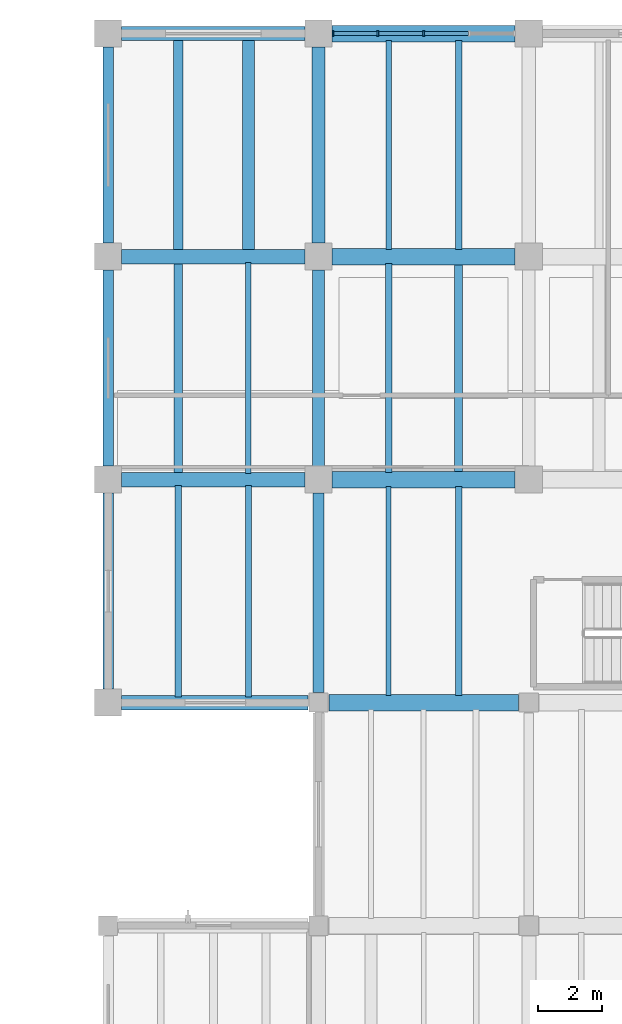
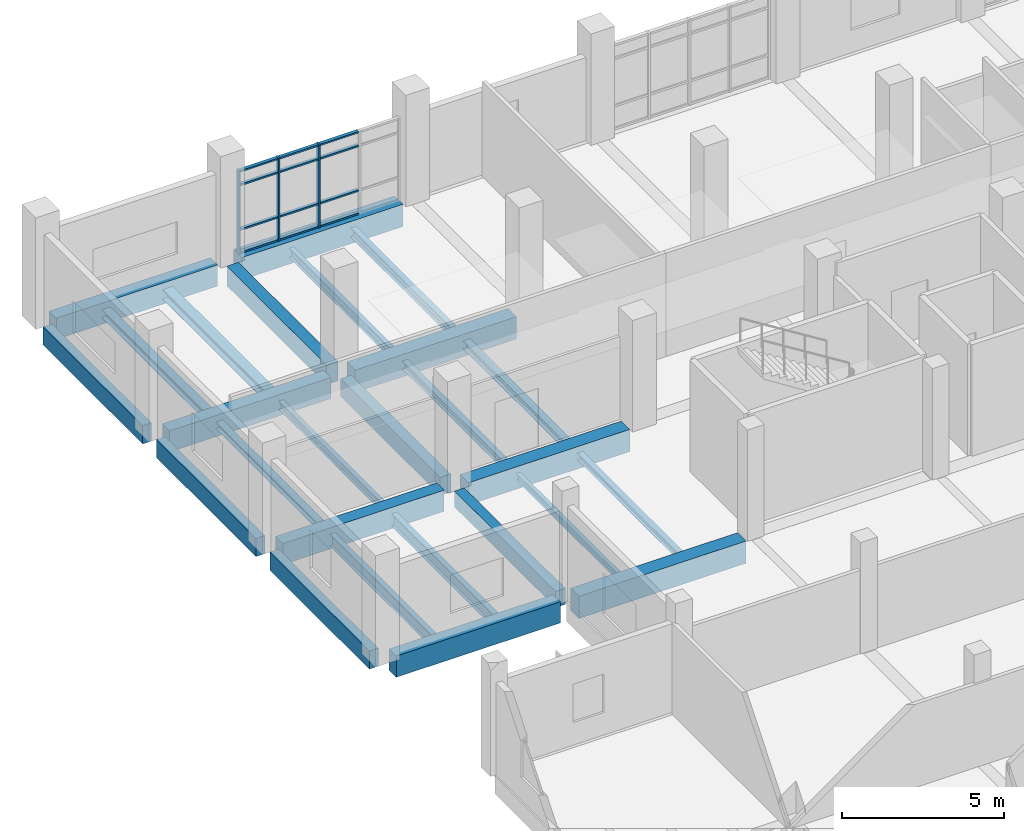
# One storey, part 23 of 68: 26 beams, 15 members, 1 element without a shape of its own.
"""IFC4 building model written with IfcOpenShell, lengths in metres."""

from ifc_helpers import new_model, si_unit, direction, frame, origin, origin_2d, place, context, subcontext, project, spatial, rectangle, i_section, extrude, material, material_profile, profile_set, type_object, element, aggregate, save


model = new_model("IFC4")

# Units and contexts
model_context = context("Model", 3, precision=1e-05, world=origin(), true_north=direction((0.0, 1.0)))
body_context = subcontext(model_context, "Body", "Model", "MODEL_VIEW")
ifc_project = project(units=[si_unit("LENGTHUNIT", "METRE"), si_unit("AREAUNIT", "SQUARE_METRE"), si_unit("VOLUMEUNIT", "CUBIC_METRE"), si_unit("PLANEANGLEUNIT", "RADIAN"), si_unit("MASSUNIT", "GRAM", prefix="KILO")], contexts=[model_context])

# Site, building, storey
site_placement = place(None, origin())
site = spatial("IfcSite", under=ifc_project, at=site_placement, CompositionType="ELEMENT")
building_placement = place(site_placement, origin())
building = spatial("IfcBuilding", under=site, at=building_placement, Name="Ciguamira Faculty of Natural Sciences", CompositionType="ELEMENT")
storey_placement = place(building_placement, frame((0.0, 0.0, 4.199951171875)))
storey = spatial("IfcBuildingStorey", under=building, at=storey_placement, Name="L01", CompositionType="ELEMENT", Elevation=4.199951171875)

# Curtain wall, members
ifc_material_1 = material(Name="Anodized aluminium curtain wall", Category="aluminium")
curtain_wall_type = type_object("IfcCurtainWallType", Name="CurtainWall_CW-10", PredefinedType="USERDEFINED", material=ifc_material_1)
curtain_wall_placement = place(storey_placement, origin())
curtain_wall = element("IfcCurtainWall", 1, at=curtain_wall_placement, inside=storey, type_object=curtain_wall_type, Name="L01 unitised curtain wall 0046", ObjectType="UNITISED CURTAIN WALL", PredefinedType="USERDEFINED")
ifc_material_2 = material(Name="Anodized aluminium mullion", Category="aluminium")
ifc_material_profile_1 = material_profile(ifc_material_2, rectangle(XDim=0.06005859375, YDim=0.159912109375, at=origin_2d()), Name="ALU-MUL-60X160")
ifc_profile_set_1 = profile_set([ifc_material_profile_1], Name="Anodized aluminium mullion")
member_type_1 = type_object("IfcMemberType", Name="CWMullion_CWM-01", PredefinedType="MULLION", material=ifc_profile_set_1)
member_1_placement = place(storey_placement, frame((64.35498046875, 115.0, 0.0), z_axis=(0.0, 0.0, 1.0), x_axis=(1.0, 0.0, 0.0)))
member_1 = element("IfcMember", 2, at=member_1_placement, type_object=member_type_1, Name="CW-10 mullion 1", PredefinedType="MULLION", context=body_context, shape_type="SweptSolid", body=[
    extrude(rectangle(XDim=0.06005859375, YDim=0.159912109375, at=origin_2d()), origin(), (0.0, 0.0, 1.0), 3.135009765625),
])
member_2_placement = place(storey_placement, frame((65.762451171875, 115.0, 0.0), z_axis=(0.0, 0.0, 1.0), x_axis=(1.0, 0.0, 0.0)))
member_2 = element("IfcMember", 3, at=member_2_placement, type_object=member_type_1, Name="CW-10 mullion 2", PredefinedType="MULLION", context=body_context, shape_type="SweptSolid", body=[
    extrude(rectangle(XDim=0.06005859375, YDim=0.159912109375, at=origin_2d()), origin(), (0.0, 0.0, 1.0), 3.135009765625),
])
member_3_placement = place(storey_placement, frame((67.199951171875, 115.0, 0.0), z_axis=(0.0, 0.0, 1.0), x_axis=(1.0, 0.0, 0.0)))
member_3 = element("IfcMember", 4, at=member_3_placement, type_object=member_type_1, Name="CW-10 mullion 3", PredefinedType="MULLION", context=body_context, shape_type="SweptSolid", body=[
    extrude(rectangle(XDim=0.06005859375, YDim=0.159912109375, at=origin_2d()), origin(), (0.0, 0.0, 1.0), 3.135009765625),
])
ifc_material_3 = material(Name="Anodized aluminium transom", Category="aluminium")
ifc_material_profile_2 = material_profile(ifc_material_3, rectangle(XDim=0.06005859375, YDim=0.1201171875, at=origin_2d()), Name="ALU-TRN-60X120")
ifc_profile_set_2 = profile_set([ifc_material_profile_2], Name="Anodized aluminium transom")
member_type_2 = type_object("IfcMemberType", Name="CWTransom_CWT-01", PredefinedType="USERDEFINED", material=ifc_profile_set_2)
member_4_placement = place(storey_placement, frame((64.385009765625, 115.0, 0.030029296875), z_axis=(1.0, 0.0, 0.0), x_axis=(0.0, 0.0, 1.0)))
member_4 = element("IfcMember", 5, at=member_4_placement, type_object=member_type_2, Name="CW-10 transom 1.1", ObjectType="TRANSOM", PredefinedType="USERDEFINED", context=body_context, shape_type="SweptSolid", body=[
    extrude(rectangle(XDim=0.06005859375, YDim=0.1201171875, at=origin_2d()), origin(), (0.0, 0.0, 1.0), 1.347412109375),
])
member_5_placement = place(storey_placement, frame((64.385009765625, 115.0, 0.900146484375), z_axis=(1.0, 0.0, 0.0), x_axis=(0.0, 0.0, 1.0)))
member_5 = element("IfcMember", 6, at=member_5_placement, type_object=member_type_2, Name="CW-10 transom 1.2", ObjectType="TRANSOM", PredefinedType="USERDEFINED", context=body_context, shape_type="SweptSolid", body=[
    extrude(rectangle(XDim=0.06005859375, YDim=0.1201171875, at=origin_2d()), origin(), (0.0, 0.0, 1.0), 1.347412109375),
])
member_6_placement = place(storey_placement, frame((64.385009765625, 115.0, 2.5849609375), z_axis=(1.0, 0.0, 0.0), x_axis=(0.0, 0.0, 1.0)))
member_6 = element("IfcMember", 7, at=member_6_placement, type_object=member_type_2, Name="CW-10 transom 1.3", ObjectType="TRANSOM", PredefinedType="USERDEFINED", context=body_context, shape_type="SweptSolid", body=[
    extrude(rectangle(XDim=0.06005859375, YDim=0.1201171875, at=origin_2d()), origin(), (0.0, 0.0, 1.0), 1.347412109375),
])
member_7_placement = place(storey_placement, frame((64.385009765625, 115.0, 3.10498046875), z_axis=(1.0, 0.0, 0.0), x_axis=(0.0, 0.0, 1.0)))
member_7 = element("IfcMember", 8, at=member_7_placement, type_object=member_type_2, Name="CW-10 transom 1.4", ObjectType="TRANSOM", PredefinedType="USERDEFINED", context=body_context, shape_type="SweptSolid", body=[
    extrude(rectangle(XDim=0.06005859375, YDim=0.1201171875, at=origin_2d()), origin(), (0.0, 0.0, 1.0), 1.347412109375),
])
member_8_placement = place(storey_placement, frame((65.79248046875, 115.0, 0.030029296875), z_axis=(1.0, 0.0, 0.0), x_axis=(0.0, 0.0, 1.0)))
member_8 = element("IfcMember", 9, at=member_8_placement, type_object=member_type_2, Name="CW-10 transom 2.1", ObjectType="TRANSOM", PredefinedType="USERDEFINED", context=body_context, shape_type="SweptSolid", body=[
    extrude(rectangle(XDim=0.06005859375, YDim=0.1201171875, at=origin_2d()), origin(), (0.0, 0.0, 1.0), 1.37744140625),
])
member_9_placement = place(storey_placement, frame((65.79248046875, 115.0, 0.900146484375), z_axis=(1.0, 0.0, 0.0), x_axis=(0.0, 0.0, 1.0)))
member_9 = element("IfcMember", 10, at=member_9_placement, type_object=member_type_2, Name="CW-10 transom 2.2", ObjectType="TRANSOM", PredefinedType="USERDEFINED", context=body_context, shape_type="SweptSolid", body=[
    extrude(rectangle(XDim=0.06005859375, YDim=0.1201171875, at=origin_2d()), origin(), (0.0, 0.0, 1.0), 1.37744140625),
])
member_10_placement = place(storey_placement, frame((65.79248046875, 115.0, 2.5849609375), z_axis=(1.0, 0.0, 0.0), x_axis=(0.0, 0.0, 1.0)))
member_10 = element("IfcMember", 11, at=member_10_placement, type_object=member_type_2, Name="CW-10 transom 2.3", ObjectType="TRANSOM", PredefinedType="USERDEFINED", context=body_context, shape_type="SweptSolid", body=[
    extrude(rectangle(XDim=0.06005859375, YDim=0.1201171875, at=origin_2d()), origin(), (0.0, 0.0, 1.0), 1.37744140625),
])
member_11_placement = place(storey_placement, frame((65.79248046875, 115.0, 3.10498046875), z_axis=(1.0, 0.0, 0.0), x_axis=(0.0, 0.0, 1.0)))
member_11 = element("IfcMember", 12, at=member_11_placement, type_object=member_type_2, Name="CW-10 transom 2.4", ObjectType="TRANSOM", PredefinedType="USERDEFINED", context=body_context, shape_type="SweptSolid", body=[
    extrude(rectangle(XDim=0.06005859375, YDim=0.1201171875, at=origin_2d()), origin(), (0.0, 0.0, 1.0), 1.37744140625),
])
member_12_placement = place(storey_placement, frame((67.22998046875, 115.0, 0.030029296875), z_axis=(1.0, 0.0, 0.0), x_axis=(0.0, 0.0, 1.0)))
member_12 = element("IfcMember", 13, at=member_12_placement, type_object=member_type_2, Name="CW-10 transom 3.1", ObjectType="TRANSOM", PredefinedType="USERDEFINED", context=body_context, shape_type="SweptSolid", body=[
    extrude(rectangle(XDim=0.06005859375, YDim=0.1201171875, at=origin_2d()), origin(), (0.0, 0.0, 1.0), 1.37744140625),
])
member_13_placement = place(storey_placement, frame((67.22998046875, 115.0, 0.900146484375), z_axis=(1.0, 0.0, 0.0), x_axis=(0.0, 0.0, 1.0)))
member_13 = element("IfcMember", 14, at=member_13_placement, type_object=member_type_2, Name="CW-10 transom 3.2", ObjectType="TRANSOM", PredefinedType="USERDEFINED", context=body_context, shape_type="SweptSolid", body=[
    extrude(rectangle(XDim=0.06005859375, YDim=0.1201171875, at=origin_2d()), origin(), (0.0, 0.0, 1.0), 1.37744140625),
])
member_14_placement = place(storey_placement, frame((67.22998046875, 115.0, 2.5849609375), z_axis=(1.0, 0.0, 0.0), x_axis=(0.0, 0.0, 1.0)))
member_14 = element("IfcMember", 15, at=member_14_placement, type_object=member_type_2, Name="CW-10 transom 3.3", ObjectType="TRANSOM", PredefinedType="USERDEFINED", context=body_context, shape_type="SweptSolid", body=[
    extrude(rectangle(XDim=0.06005859375, YDim=0.1201171875, at=origin_2d()), origin(), (0.0, 0.0, 1.0), 1.37744140625),
])
member_15_placement = place(storey_placement, frame((67.22998046875, 115.0, 3.10498046875), z_axis=(1.0, 0.0, 0.0), x_axis=(0.0, 0.0, 1.0)))
member_15 = element("IfcMember", 16, at=member_15_placement, type_object=member_type_2, Name="CW-10 transom 3.4", ObjectType="TRANSOM", PredefinedType="USERDEFINED", context=body_context, shape_type="SweptSolid", body=[
    extrude(rectangle(XDim=0.06005859375, YDim=0.1201171875, at=origin_2d()), origin(), (0.0, 0.0, 1.0), 1.37744140625),
])
aggregate(curtain_wall, [member_1, member_2, member_3, member_4, member_5, member_6, member_7, member_8, member_9, member_10, member_11, member_12, member_13, member_14, member_15])

# Beams
ifc_material_4 = material(Name="Concrete C40/50", Category="concrete")
ifc_material_profile_3 = material_profile(ifc_material_4, rectangle(XDim=0.449951171875, YDim=0.800048828125, at=origin_2d()), Name="RC-BM-450X800")
ifc_profile_set_3 = profile_set([ifc_material_profile_3], Name="Concrete C40/50")
beam_type_1 = type_object("IfcBeamType", Name="RCBeam_BG-05_RC-BM-450X800", PredefinedType="BEAM", material=ifc_profile_set_3)
beam_1_placement = place(storey_placement, frame((57.72509765625, 94.0, -0.39990234375), z_axis=(1.0, 0.0, 0.0), x_axis=(0.0, 1.0, 0.0)))
element("IfcBeam", 17, at=beam_1_placement, inside=storey, type_object=beam_type_1, Name="L01 RC girder EW-0513", PredefinedType="BEAM", context=body_context, shape_type="SweptSolid", body=[
    extrude(rectangle(XDim=0.449951171875, YDim=0.800048828125, at=origin_2d()), origin(), (0.0, 0.0, 1.0), 5.849853515625),
])
for number, where, z_axis, x_axis, name in (
    (18, (57.72509765625, 101.0, -0.39990234375), (1.0, 0.0, 0.0), (0.0, 1.0, 0.0), "L01 RC girder EW-0522"),
    (19, (57.72509765625, 108.0, -0.39990234375), (1.0, 0.0, 0.0), (0.0, 1.0, 0.0), "L01 RC girder EW-0531"),
    (20, (57.72509765625, 115.0, -0.39990234375), (1.0, 0.0, 0.0), (0.0, 1.0, 0.0), "L01 RC girder EW-0540"),
):
    element("IfcBeam", number, at=place(storey_placement, frame(where, z_axis=z_axis, x_axis=x_axis)), inside=storey, type_object=beam_type_1, Name=name, PredefinedType="BEAM", context=body_context, shape_type="SweptSolid", body=[
        extrude(rectangle(XDim=0.449951171875, YDim=0.800048828125, at=origin_2d()), origin(), (0.0, 0.0, 1.0), 5.75),
    ])
ifc_material_profile_4 = material_profile(ifc_material_4, rectangle(XDim=0.419921875, YDim=0.739990234375, at=origin_2d()), Name="RC-BM-420X740")
ifc_profile_set_4 = profile_set([ifc_material_profile_4], Name="Concrete C40/50")
beam_type_2 = type_object("IfcBeamType", Name="RCBeam_BG-07_RC-BM-420X740", PredefinedType="BEAM", material=ifc_profile_set_4)
beam_2_placement = place(storey_placement, frame((63.89990234375, 108.425048828125, -0.369873046875), z_axis=(0.0, 1.0, 0.0), x_axis=(-1.0, 0.0, 0.0)))
element("IfcBeam", 21, at=beam_2_placement, inside=storey, type_object=beam_type_2, Name="L01 girder NS-0594", PredefinedType="BEAM", context=body_context, shape_type="SweptSolid", body=[
    extrude(rectangle(XDim=0.419921875, YDim=0.739990234375, at=origin_2d()), origin(), (0.0, 0.0, 1.0), 6.14990234375),
])
ifc_material_profile_5 = material_profile(ifc_material_4, rectangle(XDim=0.3798828125, YDim=0.679931640625, at=origin_2d()), Name="RC-BM-380X680")
ifc_profile_set_5 = profile_set([ifc_material_profile_5], Name="Concrete C40/50")
beam_type_3 = type_object("IfcBeamType", Name="RCBeam_BG-09_RC-BM-380X680", PredefinedType="BEAM", material=ifc_profile_set_5)
beam_3_placement = place(storey_placement, frame((63.89990234375, 101.425048828125, -0.33984375), z_axis=(0.0, 1.0, 0.0), x_axis=(-1.0, 0.0, 0.0)))
element("IfcBeam", 22, at=beam_3_placement, inside=storey, type_object=beam_type_3, Name="L01 girder NS-0593", PredefinedType="BEAM", context=body_context, shape_type="SweptSolid", body=[
    extrude(rectangle(XDim=0.3798828125, YDim=0.679931640625, at=origin_2d()), origin(), (0.0, 0.0, 1.0), 6.14990234375),
])
ifc_material_profile_6 = material_profile(ifc_material_4, rectangle(XDim=0.35009765625, YDim=0.60009765625, at=origin_2d()), Name="RC-BM-350X600")
ifc_profile_set_6 = profile_set([ifc_material_profile_6], Name="Concrete C40/50")
beam_type_4 = type_object("IfcBeamType", Name="RCBeam_BG-11_RC-BM-350X600", PredefinedType="BEAM", material=ifc_profile_set_6)
beam_4_placement = place(storey_placement, frame((63.89990234375, 94.324951171875, -0.300048828125), z_axis=(0.0, 1.0, 0.0), x_axis=(-1.0, 0.0, 0.0)))
element("IfcBeam", 23, at=beam_4_placement, inside=storey, type_object=beam_type_4, Name="L01 girder NS-0592", PredefinedType="BEAM", context=body_context, shape_type="SweptSolid", body=[
    extrude(rectangle(XDim=0.35009765625, YDim=0.60009765625, at=origin_2d()), origin(), (0.0, 0.0, 1.0), 6.25),
])
ifc_material_5 = material(Name="Precast concrete C40/50", Category="concrete")
ifc_material_profile_7 = material_profile(ifc_material_5, rectangle(XDim=0.320068359375, YDim=0.679931640625, at=origin_2d()), Name="RC-SP-320X680")
ifc_profile_set_7 = profile_set([ifc_material_profile_7], Name="Precast concrete C40/50")
beam_type_5 = type_object("IfcBeamType", Name="RCBeam_SP-02_RC-SP-320X680", PredefinedType="SPANDREL", material=ifc_profile_set_7)
for number, where, z_axis, x_axis, name in (
    (24, (57.300048828125, 94.425048828125, -0.33984375), (0.0, 1.0, 0.0), (-1.0, 0.0, 0.0), "L01 girder NS-0579"),
    (25, (57.300048828125, 101.425048828125, -0.33984375), (0.0, 1.0, 0.0), (-1.0, 0.0, 0.0), "L01 girder NS-0580"),
    (26, (57.300048828125, 108.425048828125, -0.33984375), (0.0, 1.0, 0.0), (-1.0, 0.0, 0.0), "L01 girder NS-0581"),
):
    element("IfcBeam", number, at=place(storey_placement, frame(where, z_axis=z_axis, x_axis=x_axis)), inside=storey, type_object=beam_type_5, Name=name, PredefinedType="SPANDREL", context=body_context, shape_type="SweptSolid", body=[
        extrude(rectangle(XDim=0.320068359375, YDim=0.679931640625, at=origin_2d()), origin(), (0.0, 0.0, 1.0), 6.14990234375),
    ])
ifc_material_profile_8 = material_profile(ifc_material_4, rectangle(XDim=0.52001953125, YDim=0.840087890625, at=origin_2d()), Name="RC-TB-520X840")
ifc_profile_set_8 = profile_set([ifc_material_profile_8], Name="Concrete C40/50")
beam_type_6 = type_object("IfcBeamType", Name="RCBeam_TB-02_RC-TB-520X840", PredefinedType="T_BEAM", material=ifc_profile_set_8)
beam_5_placement = place(storey_placement, frame((64.22509765625, 94.0, -0.419921875), z_axis=(1.0, 0.0, 0.0), x_axis=(0.0, 1.0, 0.0)))
element("IfcBeam", 27, at=beam_5_placement, inside=storey, type_object=beam_type_6, Name="L01 RC girder EW-0514", PredefinedType="T_BEAM", context=body_context, shape_type="SweptSolid", body=[
    extrude(rectangle(XDim=0.52001953125, YDim=0.840087890625, at=origin_2d()), origin(), (0.0, 0.0, 1.0), 5.949951171875),
])
for number, where, z_axis, x_axis, name in (
    (28, (64.324951171875, 101.0, -0.419921875), (1.0, 0.0, 0.0), (0.0, 1.0, 0.0), "L01 RC girder EW-0523"),
    (29, (64.324951171875, 108.0, -0.419921875), (1.0, 0.0, 0.0), (0.0, 1.0, 0.0), "L01 RC girder EW-0532"),
    (30, (64.324951171875, 115.0, -0.419921875), (1.0, 0.0, 0.0), (0.0, 1.0, 0.0), "L01 RC girder EW-0541"),
):
    element("IfcBeam", number, at=place(storey_placement, frame(where, z_axis=z_axis, x_axis=x_axis)), inside=storey, type_object=beam_type_6, Name=name, PredefinedType="T_BEAM", context=body_context, shape_type="SweptSolid", body=[
        extrude(rectangle(XDim=0.52001953125, YDim=0.840087890625, at=origin_2d()), origin(), (0.0, 0.0, 1.0), 5.75),
    ])
ifc_material_6 = material(Name="Steel ASTM A992 Grade 50", Category="steel")
ifc_material_profile_9 = material_profile(ifc_material_6, i_section(OverallWidth=0.14599609375, OverallDepth=0.259033203125, WebThickness=0.006103515625, FlangeThickness=0.009033203125, at=origin_2d()), Name="W10X22")
ifc_profile_set_9 = profile_set([ifc_material_profile_9], Name="Steel ASTM A992 Grade 50")
beam_type_7 = type_object("IfcBeamType", Name="SteelJoist_SJ-01_W10X22", PredefinedType="JOIST", material=ifc_profile_set_9)
beam_6_placement = place(storey_placement, frame((66.10009765625, 94.219970703125, -0.369384765625), z_axis=(0.0, 1.0, 0.0), x_axis=(-1.0, 0.0, 0.0)))
element("IfcBeam", 31, at=beam_6_placement, inside=storey, type_object=beam_type_7, Name="L01 composite steel joist 00437", PredefinedType="JOIST", context=body_context, shape_type="SweptSolid", body=[
    extrude(i_section(OverallWidth=0.14599609375, OverallDepth=0.259033203125, WebThickness=0.006103515625, FlangeThickness=0.009033203125, at=origin_2d()), origin(), (0.0, 0.0, 1.0), 6.56005859375),
])
ifc_material_profile_10 = material_profile(ifc_material_6, i_section(OverallWidth=0.2021484375, OverallDepth=0.2470703125, WebThickness=0.00732421875, FlangeThickness=0.010986328125, at=origin_2d()), Name="W10X33")
ifc_profile_set_10 = profile_set([ifc_material_profile_10], Name="Steel ASTM A992 Grade 50")
beam_type_8 = type_object("IfcBeamType", Name="SteelJoist_SJ-02_W10X33", PredefinedType="JOIST", material=ifc_profile_set_10)
beam_7_placement = place(storey_placement, frame((68.300048828125, 94.219970703125, -0.363525390625), z_axis=(0.0, 1.0, 0.0), x_axis=(-1.0, 0.0, 0.0)))
element("IfcBeam", 32, at=beam_7_placement, inside=storey, type_object=beam_type_8, Name="L01 composite steel joist 00438", PredefinedType="JOIST", context=body_context, shape_type="SweptSolid", body=[
    extrude(i_section(OverallWidth=0.2021484375, OverallDepth=0.2470703125, WebThickness=0.00732421875, FlangeThickness=0.010986328125, at=origin_2d()), origin(), (0.0, 0.0, 1.0), 6.56005859375),
])
ifc_material_profile_11 = material_profile(ifc_material_6, i_section(OverallWidth=0.25390625, OverallDepth=0.25390625, WebThickness=0.008544921875, FlangeThickness=0.01416015625, at=origin_2d()), Name="W10X49")
ifc_profile_set_11 = profile_set([ifc_material_profile_11], Name="Steel ASTM A992 Grade 50")
beam_type_9 = type_object("IfcBeamType", Name="SteelJoist_SJ-03_W10X49", PredefinedType="JOIST", material=ifc_profile_set_11)
beam_8_placement = place(storey_placement, frame((59.5, 101.18505859375, -0.366943359375), z_axis=(0.0, 1.0, 0.0), x_axis=(-1.0, 0.0, 0.0)))
element("IfcBeam", 33, at=beam_8_placement, inside=storey, type_object=beam_type_9, Name="L01 composite steel joist 00410", PredefinedType="JOIST", context=body_context, shape_type="SweptSolid", body=[
    extrude(i_section(OverallWidth=0.25390625, OverallDepth=0.25390625, WebThickness=0.008544921875, FlangeThickness=0.01416015625, at=origin_2d()), origin(), (0.0, 0.0, 1.0), 6.6298828125),
])
ifc_material_profile_12 = material_profile(ifc_material_6, i_section(OverallWidth=0.164794921875, OverallDepth=0.309814453125, WebThickness=0.005859375, FlangeThickness=0.009765625, at=origin_2d()), Name="W12X26")
ifc_profile_set_12 = profile_set([ifc_material_profile_12], Name="Steel ASTM A992 Grade 50")
beam_type_10 = type_object("IfcBeamType", Name="SteelJoist_SJ-04_W12X26", PredefinedType="JOIST", material=ifc_profile_set_12)
beam_9_placement = place(storey_placement, frame((61.699951171875, 101.18505859375, -0.394775390625), z_axis=(0.0, 1.0, 0.0), x_axis=(-1.0, 0.0, 0.0)))
element("IfcBeam", 34, at=beam_9_placement, inside=storey, type_object=beam_type_10, Name="L01 composite steel joist 00411", PredefinedType="JOIST", context=body_context, shape_type="SweptSolid", body=[
    extrude(i_section(OverallWidth=0.164794921875, OverallDepth=0.309814453125, WebThickness=0.005859375, FlangeThickness=0.009765625, at=origin_2d()), origin(), (0.0, 0.0, 1.0), 6.6298828125),
])
ifc_material_profile_13 = material_profile(ifc_material_6, i_section(OverallWidth=0.20458984375, OverallDepth=0.307373046875, WebThickness=0.008544921875, FlangeThickness=0.0146484375, at=origin_2d()), Name="W12X45")
ifc_profile_set_13 = profile_set([ifc_material_profile_13], Name="Steel ASTM A992 Grade 50")
beam_type_11 = type_object("IfcBeamType", Name="SteelJoist_SJ-06_W12X45", PredefinedType="JOIST", material=ifc_profile_set_13)
beam_10_placement = place(storey_placement, frame((66.10009765625, 101.219970703125, -0.3935546875), z_axis=(0.0, 1.0, 0.0), x_axis=(-1.0, 0.0, 0.0)))
element("IfcBeam", 35, at=beam_10_placement, inside=storey, type_object=beam_type_11, Name="L01 composite steel joist 00439", PredefinedType="JOIST", context=body_context, shape_type="SweptSolid", body=[
    extrude(i_section(OverallWidth=0.20458984375, OverallDepth=0.307373046875, WebThickness=0.008544921875, FlangeThickness=0.0146484375, at=origin_2d()), origin(), (0.0, 0.0, 1.0), 6.56005859375),
])
ifc_material_profile_14 = material_profile(ifc_material_6, i_section(OverallWidth=0.25390625, OverallDepth=0.307373046875, WebThickness=0.0087890625, FlangeThickness=0.0146484375, at=origin_2d()), Name="W12X53")
ifc_profile_set_14 = profile_set([ifc_material_profile_14], Name="Steel ASTM A992 Grade 50")
beam_type_12 = type_object("IfcBeamType", Name="SteelJoist_SJ-07_W12X53", PredefinedType="JOIST", material=ifc_profile_set_14)
beam_11_placement = place(storey_placement, frame((68.300048828125, 101.219970703125, -0.3935546875), z_axis=(0.0, 1.0, 0.0), x_axis=(-1.0, 0.0, 0.0)))
element("IfcBeam", 36, at=beam_11_placement, inside=storey, type_object=beam_type_12, Name="L01 composite steel joist 00440", PredefinedType="JOIST", context=body_context, shape_type="SweptSolid", body=[
    extrude(i_section(OverallWidth=0.25390625, OverallDepth=0.307373046875, WebThickness=0.0087890625, FlangeThickness=0.0146484375, at=origin_2d()), origin(), (0.0, 0.0, 1.0), 6.56005859375),
])
ifc_material_profile_15 = material_profile(ifc_material_6, i_section(OverallWidth=0.3046875, OverallDepth=0.307373046875, WebThickness=0.010009765625, FlangeThickness=0.015380859375, at=origin_2d()), Name="W12X65")
ifc_profile_set_15 = profile_set([ifc_material_profile_15], Name="Steel ASTM A992 Grade 50")
beam_type_13 = type_object("IfcBeamType", Name="SteelJoist_SJ-08_W12X65", PredefinedType="JOIST", material=ifc_profile_set_15)
beam_12_placement = place(storey_placement, frame((59.5, 108.18505859375, -0.3935546875), z_axis=(0.0, 1.0, 0.0), x_axis=(-1.0, 0.0, 0.0)))
element("IfcBeam", 37, at=beam_12_placement, inside=storey, type_object=beam_type_13, Name="L01 composite steel joist 00412", PredefinedType="JOIST", context=body_context, shape_type="SweptSolid", body=[
    extrude(i_section(OverallWidth=0.3046875, OverallDepth=0.307373046875, WebThickness=0.010009765625, FlangeThickness=0.015380859375, at=origin_2d()), origin(), (0.0, 0.0, 1.0), 6.6298828125),
])
ifc_material_profile_16 = material_profile(ifc_material_6, i_section(OverallWidth=0.370849609375, OverallDepth=0.36328125, WebThickness=0.013427734375, FlangeThickness=0.021728515625, at=origin_2d()), Name="W14X109")
ifc_profile_set_16 = profile_set([ifc_material_profile_16], Name="Steel ASTM A992 Grade 50")
beam_type_14 = type_object("IfcBeamType", Name="SteelJoist_SJ-09_W14X109", PredefinedType="JOIST", material=ifc_profile_set_16)
beam_13_placement = place(storey_placement, frame((61.699951171875, 108.18505859375, -0.421630859375), z_axis=(0.0, 1.0, 0.0), x_axis=(-1.0, 0.0, 0.0)))
element("IfcBeam", 38, at=beam_13_placement, inside=storey, type_object=beam_type_14, Name="L01 composite steel joist 00413", PredefinedType="JOIST", context=body_context, shape_type="SweptSolid", body=[
    extrude(i_section(OverallWidth=0.370849609375, OverallDepth=0.36328125, WebThickness=0.013427734375, FlangeThickness=0.021728515625, at=origin_2d()), origin(), (0.0, 0.0, 1.0), 6.6298828125),
])
ifc_material_profile_17 = material_profile(ifc_material_6, i_section(OverallWidth=0.1708984375, OverallDepth=0.3505859375, WebThickness=0.0068359375, FlangeThickness=0.009765625, at=origin_2d()), Name="W14X30")
ifc_profile_set_17 = profile_set([ifc_material_profile_17], Name="Steel ASTM A992 Grade 50")
beam_type_15 = type_object("IfcBeamType", Name="SteelJoist_SJ-11_W14X30", PredefinedType="JOIST", material=ifc_profile_set_17)
beam_14_placement = place(storey_placement, frame((66.10009765625, 108.219970703125, -0.415283203125), z_axis=(0.0, 1.0, 0.0), x_axis=(-1.0, 0.0, 0.0)))
element("IfcBeam", 39, at=beam_14_placement, inside=storey, type_object=beam_type_15, Name="L01 composite steel joist 00441", PredefinedType="JOIST", context=body_context, shape_type="SweptSolid", body=[
    extrude(i_section(OverallWidth=0.1708984375, OverallDepth=0.3505859375, WebThickness=0.0068359375, FlangeThickness=0.009765625, at=origin_2d()), origin(), (0.0, 0.0, 1.0), 6.56005859375),
])
ifc_material_profile_18 = material_profile(ifc_material_6, i_section(OverallWidth=0.203125, OverallDepth=0.347900390625, WebThickness=0.0078125, FlangeThickness=0.013427734375, at=origin_2d()), Name="W14X43")
ifc_profile_set_18 = profile_set([ifc_material_profile_18], Name="Steel ASTM A992 Grade 50")
beam_type_16 = type_object("IfcBeamType", Name="SteelJoist_SJ-12_W14X43", PredefinedType="JOIST", material=ifc_profile_set_18)
beam_15_placement = place(storey_placement, frame((68.300048828125, 108.219970703125, -0.4140625), z_axis=(0.0, 1.0, 0.0), x_axis=(-1.0, 0.0, 0.0)))
element("IfcBeam", 40, at=beam_15_placement, inside=storey, type_object=beam_type_16, Name="L01 composite steel joist 00442", PredefinedType="JOIST", context=body_context, shape_type="SweptSolid", body=[
    extrude(i_section(OverallWidth=0.203125, OverallDepth=0.347900390625, WebThickness=0.0078125, FlangeThickness=0.013427734375, at=origin_2d()), origin(), (0.0, 0.0, 1.0), 6.56005859375),
])
ifc_material_profile_19 = material_profile(ifc_material_6, i_section(OverallWidth=0.1904296875, OverallDepth=0.457275390625, WebThickness=0.009033203125, FlangeThickness=0.014404296875, at=origin_2d()), Name="W18X50")
ifc_profile_set_19 = profile_set([ifc_material_profile_19], Name="Steel ASTM A992 Grade 50")
beam_type_17 = type_object("IfcBeamType", Name="SteelJoist_SJ-23_W18X50", PredefinedType="JOIST", material=ifc_profile_set_19)
beam_16_placement = place(storey_placement, frame((59.5, 94.18505859375, -0.468505859375), z_axis=(0.0, 1.0, 0.0), x_axis=(-1.0, 0.0, 0.0)))
element("IfcBeam", 41, at=beam_16_placement, inside=storey, type_object=beam_type_17, Name="L01 composite steel joist 00408", PredefinedType="JOIST", context=body_context, shape_type="SweptSolid", body=[
    extrude(i_section(OverallWidth=0.1904296875, OverallDepth=0.457275390625, WebThickness=0.009033203125, FlangeThickness=0.014404296875, at=origin_2d()), origin(), (0.0, 0.0, 1.0), 6.6298828125),
])
ifc_material_profile_20 = material_profile(ifc_material_6, i_section(OverallWidth=0.19287109375, OverallDepth=0.46728515625, WebThickness=0.011474609375, FlangeThickness=0.01904296875, at=origin_2d()), Name="W18X65")
ifc_profile_set_20 = profile_set([ifc_material_profile_20], Name="Steel ASTM A992 Grade 50")
beam_type_18 = type_object("IfcBeamType", Name="SteelJoist_SJ-24_W18X65", PredefinedType="JOIST", material=ifc_profile_set_20)
beam_17_placement = place(storey_placement, frame((61.699951171875, 94.18505859375, -0.4736328125), z_axis=(0.0, 1.0, 0.0), x_axis=(-1.0, 0.0, 0.0)))
element("IfcBeam", 42, at=beam_17_placement, inside=storey, type_object=beam_type_18, Name="L01 composite steel joist 00409", PredefinedType="JOIST", context=body_context, shape_type="SweptSolid", body=[
    extrude(i_section(OverallWidth=0.19287109375, OverallDepth=0.46728515625, WebThickness=0.011474609375, FlangeThickness=0.01904296875, at=origin_2d()), origin(), (0.0, 0.0, 1.0), 6.6298828125),
])

save(model, "model.ifc")
